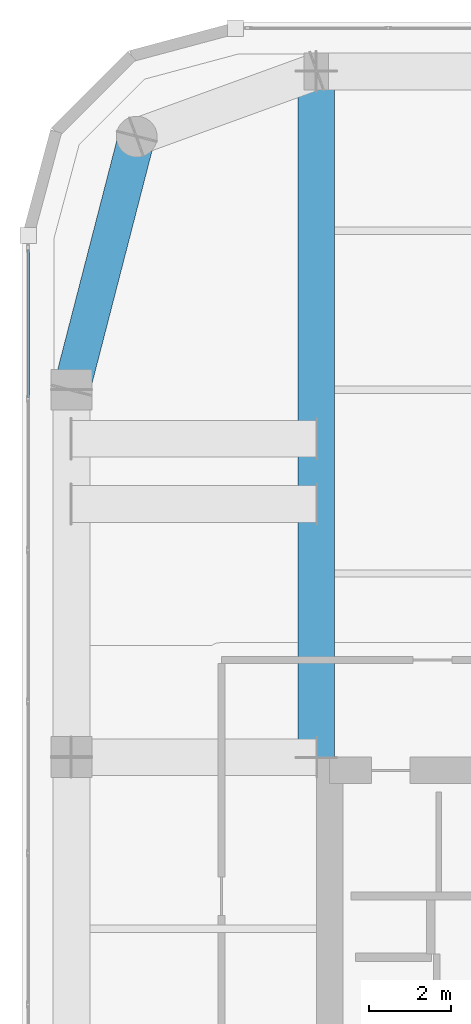
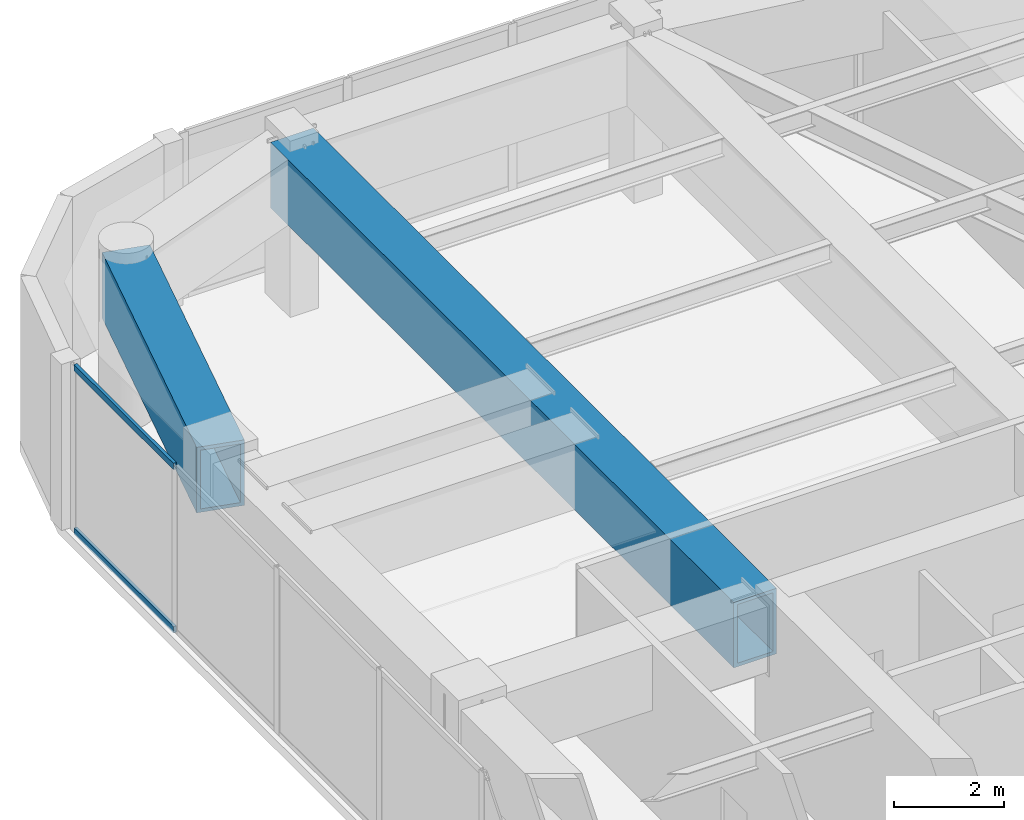
# One storey, part 7 of 21: 2 beams, 2 members, 1 element without a shape of its own.
"""IFC4 building model written with IfcOpenShell, lengths in metres."""

from ifc_helpers import new_model, si_unit, direction, frame, origin, origin_2d, place, context, subcontext, project, spatial, hollow_rectangle, extrude, material, layer, layer_set, material_profile, profile_set, type_object, element, aggregate, save


model = new_model("IFC4")

# Units and contexts
model_context = context("Model", 3, precision=1e-05, world=origin(), true_north=direction((0.0, 1.0)))
body_context = subcontext(model_context, "Body", "Model", "MODEL_VIEW")
ifc_project = project(units=[si_unit("LENGTHUNIT", "METRE"), si_unit("AREAUNIT", "SQUARE_METRE"), si_unit("VOLUMEUNIT", "CUBIC_METRE"), si_unit("PLANEANGLEUNIT", "RADIAN"), si_unit("MASSUNIT", "GRAM", prefix="KILO")], contexts=[model_context])

# Site, building, storey
site_placement = place(None, origin())
site = spatial("IfcSite", under=ifc_project, at=site_placement, CompositionType="ELEMENT")
building_placement = place(site_placement, origin())
building = spatial("IfcBuilding", under=site, at=building_placement, Name="Kiyonajd Concourse Tower", CompositionType="ELEMENT")
storey_placement = place(building_placement, frame((0.0, 0.0, 251.10009765625)))
storey = spatial("IfcBuildingStorey", under=building, at=storey_placement, Name="L63", CompositionType="ELEMENT", Elevation=251.10009765625)

# Beams
ifc_material_1 = material(Name="Steel ASTM A572 Grade 50", Category="steel")
ifc_material_profile_1 = material_profile(ifc_material_1, hollow_rectangle(XDim=0.89990234375, YDim=1.449951171875, WallThickness=0.074951171875, at=origin_2d()), Name="BOX-1450x900x75")
ifc_profile_set_1 = profile_set([ifc_material_profile_1], Name="Steel ASTM A572 Grade 50")
beam_type = type_object("IfcBeamType", Name="BM-XFER-1800", PredefinedType="BEAM", material=ifc_profile_set_1)
beam_1_placement = place(storey_placement, frame((28.0, 59.60009765625, 2.934814453125), z_axis=(-0.249884937687, -0.968275538221, 0.0), x_axis=(0.968275538221, -0.249884937687, 0.0)))
element("IfcBeam", 1, at=beam_1_placement, inside=storey, type_object=beam_type, Name="L63 Perimeter Bundled Tube Spandrel", PredefinedType="BEAM", context=body_context, shape_type="SweptSolid", body=[
    extrude(hollow_rectangle(XDim=0.89990234375, YDim=1.449951171875, WallThickness=0.074951171875, at=origin_2d()), origin(), (0.0, 0.0, 1.0), 6.4033203125),
])
beam_2_placement = place(storey_placement, frame((32.39990234375, 44.39990234375, 2.934814453125), z_axis=(0.0, 1.0, 0.0), x_axis=(-1.0, 0.0, 0.0)))
element("IfcBeam", 2, at=beam_2_placement, inside=storey, type_object=beam_type, Name="L63 North Lease Girder", PredefinedType="BEAM", context=body_context, shape_type="SweptSolid", body=[
    extrude(hollow_rectangle(XDim=0.89990234375, YDim=1.449951171875, WallThickness=0.074951171875, at=origin_2d()), origin(), (0.0, 0.0, 1.0), 16.800048828125),
])

# Curtain wall, members
ifc_material_2 = material(Name="Thermally Broken Anodised Aluminium", Category="aluminium")
ifc_layer = layer(ifc_material_2, 0.179931640625)
ifc_layer_set = layer_set([ifc_layer], Name="Thermally Broken Anodised Aluminium")
curtain_wall_type = type_object("IfcCurtainWallType", Name="CW-SYS-04", PredefinedType="NOTDEFINED", material=ifc_layer_set)
curtain_wall_placement = place(storey_placement, origin())
curtain_wall = element("IfcCurtainWall", 3, at=curtain_wall_placement, inside=storey, type_object=curtain_wall_type, Name="L63 Unitised Curtain Wall CW4", PredefinedType="NOTDEFINED")
ifc_material_profile_2 = material_profile(ifc_material_2, hollow_rectangle(XDim=0.06494140625, YDim=0.139892578125, WallThickness=0.00390625, at=origin_2d()), Name="TRAN-65x140")
ifc_profile_set_2 = profile_set([ifc_material_profile_2], Name="Thermally Broken Anodised Aluminium")
member_type = type_object("IfcMemberType", Name="MB-CW-TRAN1", PredefinedType="USERDEFINED", material=ifc_profile_set_2)
member_1_placement = place(storey_placement, frame((25.340087890625, 53.2138671875, 0.032470703125), z_axis=(0.0, 1.0, 0.0), x_axis=(-1.0, 0.0, 0.0)))
member_1 = element("IfcMember", 4, at=member_1_placement, type_object=member_type, Name="CW4 transom 6.1", ObjectType="TRANSOM", PredefinedType="USERDEFINED", context=body_context, shape_type="SweptSolid", body=[
    extrude(hollow_rectangle(XDim=0.06494140625, YDim=0.139892578125, WallThickness=0.00390625, at=origin_2d()), origin(), (0.0, 0.0, 1.0), 3.61279296875),
])
member_2_placement = place(storey_placement, frame((25.340087890625, 53.2138671875, 3.6474609375), z_axis=(0.0, 1.0, 0.0), x_axis=(-1.0, 0.0, 0.0)))
member_2 = element("IfcMember", 5, at=member_2_placement, type_object=member_type, Name="CW4 transom 6.2", ObjectType="TRANSOM", PredefinedType="USERDEFINED", context=body_context, shape_type="SweptSolid", body=[
    extrude(hollow_rectangle(XDim=0.06494140625, YDim=0.139892578125, WallThickness=0.00390625, at=origin_2d()), origin(), (0.0, 0.0, 1.0), 3.61279296875),
])
aggregate(curtain_wall, [member_1, member_2])

save(model, "model.ifc")
